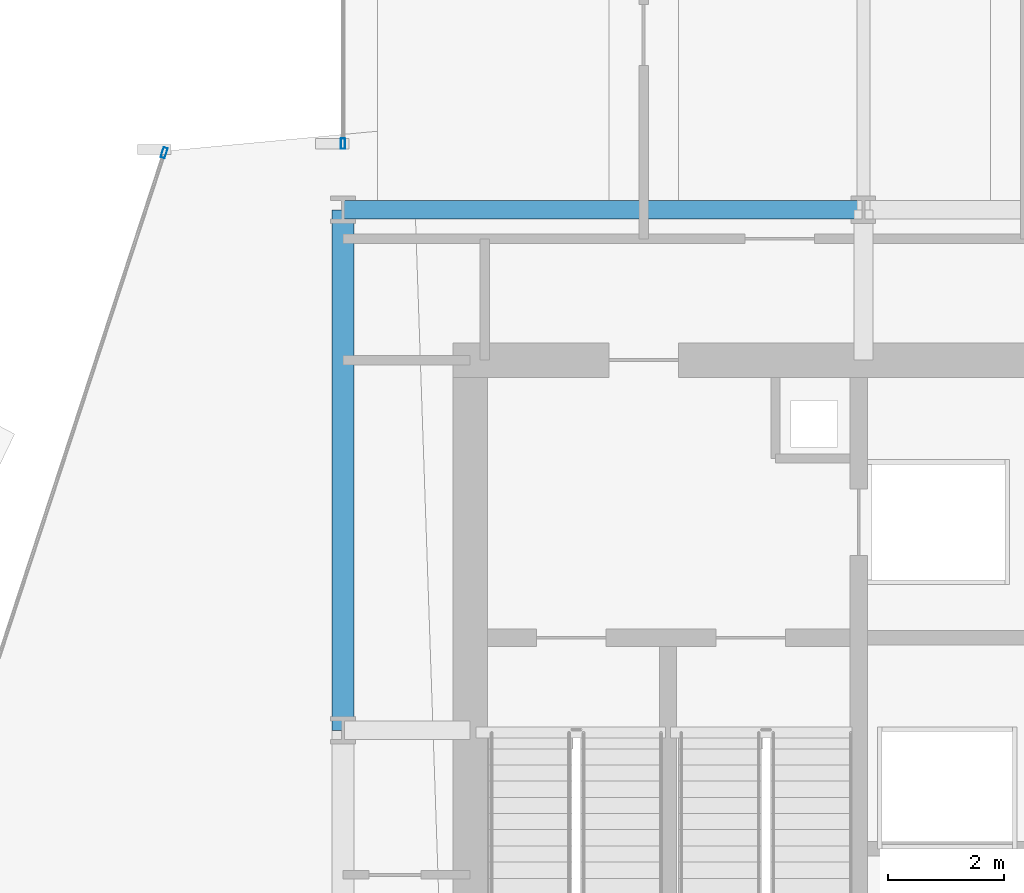
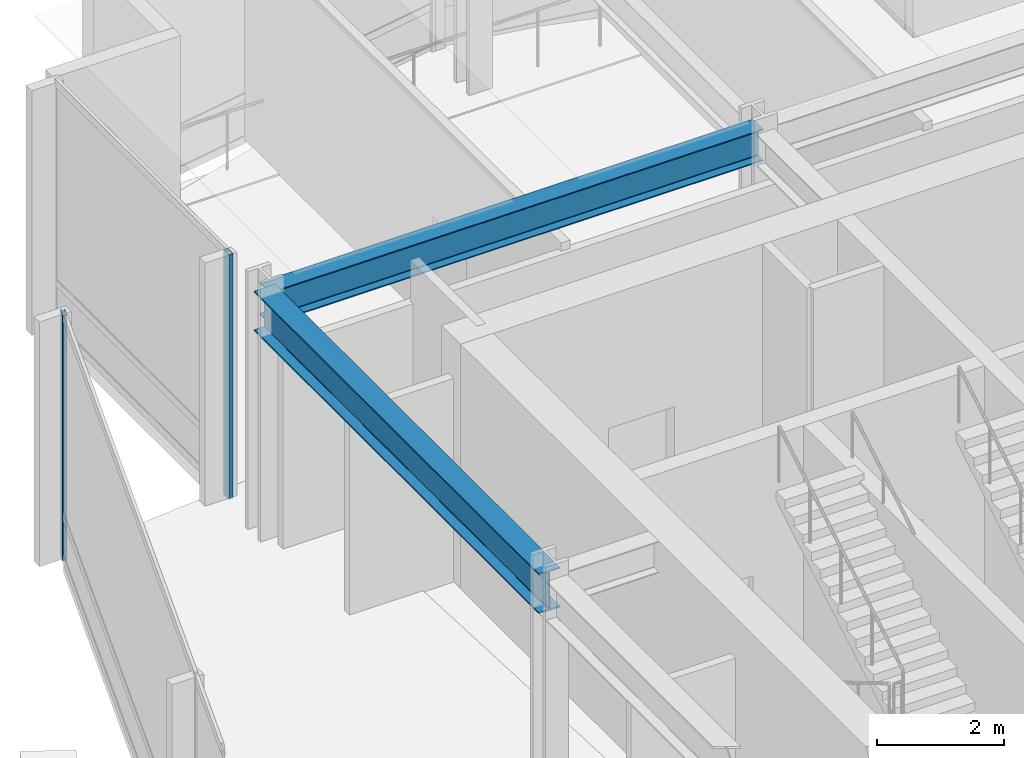
# One storey, part 21 of 39: 2 beams, 2 members, 2 elements without a shape of their own.
"""IFC4 building model written with IfcOpenShell, lengths in metres."""

from ifc_helpers import new_model, si_unit, direction, frame, origin, origin_2d, place, context, subcontext, project, spatial, hollow_rectangle, i_section, extrude, material, layer, layer_set, material_profile, profile_set, type_object, element, aggregate, save


model = new_model("IFC4")

# Units and contexts
model_context = context("Model", 3, precision=1e-05, world=origin(), true_north=direction((0.0, 1.0)))
body_context = subcontext(model_context, "Body", "Model", "MODEL_VIEW")
ifc_project = project(units=[si_unit("LENGTHUNIT", "METRE"), si_unit("AREAUNIT", "SQUARE_METRE"), si_unit("VOLUMEUNIT", "CUBIC_METRE"), si_unit("PLANEANGLEUNIT", "RADIAN"), si_unit("MASSUNIT", "GRAM", prefix="KILO")], contexts=[model_context])

# Site, building, storey
site_placement = place(None, origin())
site = spatial("IfcSite", under=ifc_project, at=site_placement, CompositionType="ELEMENT")
building_placement = place(site_placement, origin())
building = spatial("IfcBuilding", under=site, at=building_placement, Name="Solvaryn Broadcast Tower", CompositionType="ELEMENT")
storey_placement = place(building_placement, frame((0.0, 0.0, 84.10009765625)))
storey = spatial("IfcBuildingStorey", under=building, at=storey_placement, Name="L20", CompositionType="ELEMENT", Elevation=84.10009765625)

# Beams
ifc_material_1 = material(Name="Steel ASTM A992 Grade 50", Category="steel")
ifc_material_profile_1 = material_profile(ifc_material_1, i_section(OverallWidth=0.323974609375, OverallDepth=0.611083984375, WebThickness=0.0126953125, FlangeThickness=0.01904296875, FilletRadius=0.014892578125, at=origin_2d()))
ifc_profile_set_1 = profile_set([ifc_material_profile_1], Name="Steel ASTM A992 Grade 50")
beam_type_1 = type_object("IfcBeamType", Name="BM-B1-W24X104", PredefinedType="BEAM", material=ifc_profile_set_1)
beam_1_placement = place(storey_placement, frame((9.0, 45.0, 4.414306640625), z_axis=(1.0, 0.0, 0.0), x_axis=(0.0, 1.0, 0.0)))
element("IfcBeam", 1, at=beam_1_placement, inside=storey, type_object=beam_type_1, Name="L20 Primary Beam X (9-18 @ Y=45)", PredefinedType="BEAM", context=body_context, shape_type="SweptSolid", body=[
    extrude(i_section(OverallWidth=0.323974609375, OverallDepth=0.611083984375, WebThickness=0.0126953125, FlangeThickness=0.01904296875, FilletRadius=0.014892578125, at=origin_2d()), origin(), (0.0, 0.0, 1.0), 9.0),
])
ifc_material_2 = material(Name="Steel ASTM A992 Grade 50", Category="steel")
ifc_material_profile_2 = material_profile(ifc_material_2, i_section(OverallWidth=0.381103515625, OverallDepth=0.77294921875, WebThickness=0.0166015625, FlangeThickness=0.027099609375, FilletRadius=0.01806640625, at=origin_2d()))
ifc_profile_set_2 = profile_set([ifc_material_profile_2], Name="Steel ASTM A992 Grade 50")
beam_type_2 = type_object("IfcBeamType", Name="BM-SP1-W30X173", PredefinedType="USERDEFINED", material=ifc_profile_set_2)
beam_2_placement = place(storey_placement, frame((9.0, 36.0, 4.33349609375), z_axis=(0.0, 1.0, 0.0), x_axis=(-1.0, 0.0, 0.0)))
element("IfcBeam", 2, at=beam_2_placement, inside=storey, type_object=beam_type_2, Name="L20 Spandrel Beam Y (36-45 @ X=9)", ObjectType="SPANDREL", PredefinedType="USERDEFINED", context=body_context, shape_type="SweptSolid", body=[
    extrude(i_section(OverallWidth=0.381103515625, OverallDepth=0.77294921875, WebThickness=0.0166015625, FlangeThickness=0.027099609375, FilletRadius=0.01806640625, at=origin_2d()), origin(), (0.0, 0.0, 1.0), 9.0),
])

# Curtain wall, member
ifc_material_3 = material(Name="Aluminium and Terracotta Unitised Curtain Wall", Category="masonry")
ifc_layer = layer(ifc_material_3, 0.25)
ifc_layer_set = layer_set([ifc_layer], Name="CW-SYS4-SKYGARDEN")
curtain_wall_type = type_object("IfcCurtainWallType", Name="CW-SYS4-SKYGARDEN", PredefinedType="NOTDEFINED", material=ifc_layer_set)
curtain_wall_1_placement = place(storey_placement, origin())
curtain_wall_1 = element("IfcCurtainWall", 3, at=curtain_wall_1_placement, inside=storey, type_object=curtain_wall_type, Name="L20 Curtain Wall DR1", PredefinedType="NOTDEFINED")
ifc_material_4 = material(Name="Anodised Aluminium 6063-T6", Category="aluminium")
ifc_material_profile_3 = material_profile(ifc_material_4, hollow_rectangle(XDim=0.074951171875, YDim=0.179931640625, WallThickness=0.00390625, InnerFilletRadius=0.00390625, OuterFilletRadius=0.008056640625, at=origin_2d()))
ifc_profile_set_3 = profile_set([ifc_material_profile_3], Name="Anodised Aluminium 6063-T6")
member_type = type_object("IfcMemberType", Name="CW-MUL-180", PredefinedType="MULLION", material=ifc_profile_set_3)
member_1_placement = place(storey_placement, frame((5.90673828125, 45.987548828125, 0.0), z_axis=(0.0, 0.0, 1.0), x_axis=(0.950215318429, -0.311594044587, 0.0)))
member_1 = element("IfcMember", 4, at=member_1_placement, type_object=member_type, Name="CWS4 mullion 1", PredefinedType="MULLION", context=body_context, shape_type="SweptSolid", body=[
    extrude(hollow_rectangle(XDim=0.074951171875, YDim=0.179931640625, WallThickness=0.00390625, InnerFilletRadius=0.00390625, OuterFilletRadius=0.008056640625, at=origin_2d()), origin(), (0.0, 0.0, 1.0), 4.719970703125),
])
aggregate(curtain_wall_1, [member_1])

curtain_wall_2_placement = place(storey_placement, origin())
curtain_wall_2 = element("IfcCurtainWall", 5, at=curtain_wall_2_placement, inside=storey, type_object=curtain_wall_type, Name="L20 Curtain Wall W2", PredefinedType="NOTDEFINED")
member_2_placement = place(storey_placement, frame((9.0, 46.14599609375, 0.0), z_axis=(0.0, 0.0, 1.0), x_axis=(-1.0, 0.0, 0.0)))
member_2 = element("IfcMember", 6, at=member_2_placement, type_object=member_type, Name="CWS4 mullion 1", PredefinedType="MULLION", context=body_context, shape_type="SweptSolid", body=[
    extrude(hollow_rectangle(XDim=0.074951171875, YDim=0.179931640625, WallThickness=0.00390625, InnerFilletRadius=0.00390625, OuterFilletRadius=0.008056640625, at=origin_2d()), origin(), (0.0, 0.0, 1.0), 4.719970703125),
])
aggregate(curtain_wall_2, [member_2])

save(model, "model.ifc")
